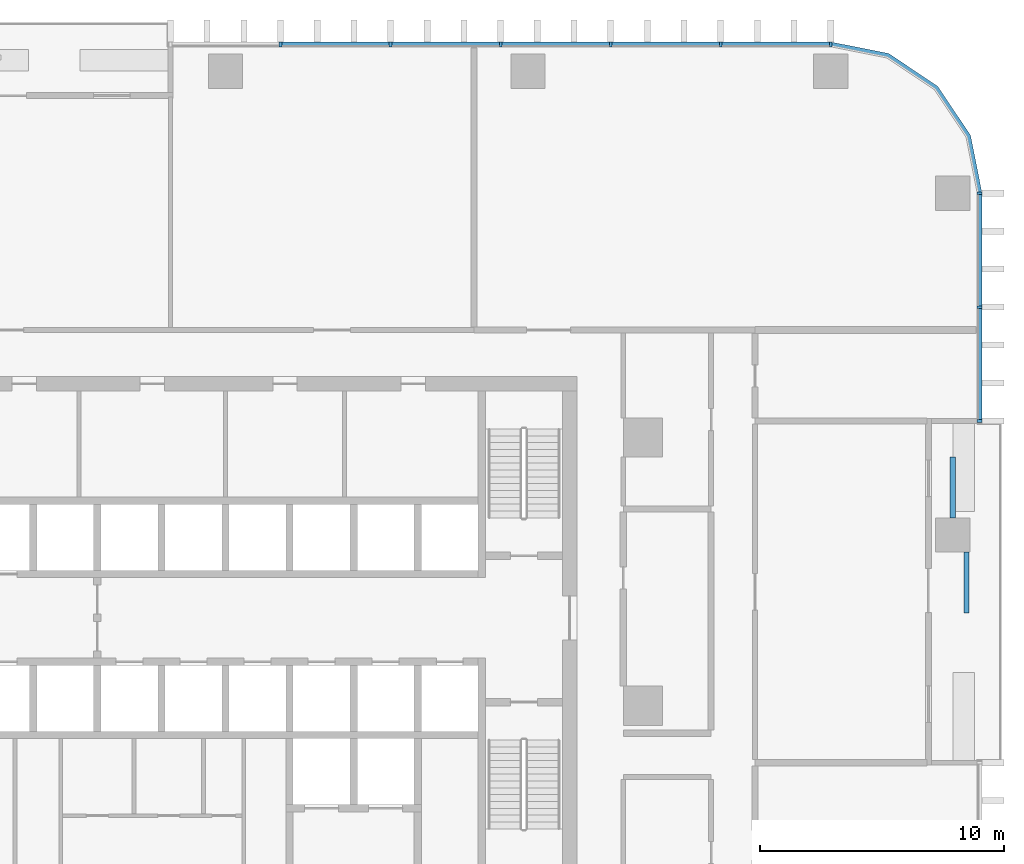
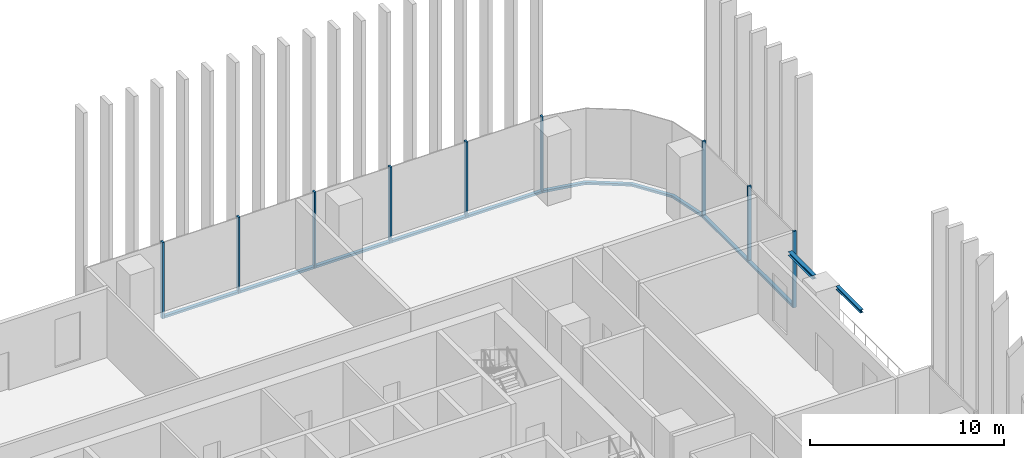
# One storey, part 5 of 16: 17 members, 2 beams, 3 elements without a shape of their own.
"""IFC4 building model written with IfcOpenShell, lengths in metres."""

from ifc_helpers import new_model, si_unit, direction, frame, origin, origin_2d, place, context, subcontext, project, spatial, polyline, rectangle, i_section, outline, extrude, material, material_profile, profile_set, type_object, element, aggregate, save


model = new_model("IFC4")

# Units and contexts
model_context = context("Model", 3, precision=1e-05, world=origin(), true_north=direction((0.0, 1.0)))
body_context = subcontext(model_context, "Body", "Model", "MODEL_VIEW")
ifc_project = project(units=[si_unit("LENGTHUNIT", "METRE"), si_unit("AREAUNIT", "SQUARE_METRE"), si_unit("VOLUMEUNIT", "CUBIC_METRE"), si_unit("PLANEANGLEUNIT", "RADIAN"), si_unit("MASSUNIT", "GRAM", prefix="KILO")], contexts=[model_context])

# Site, building, storey
site_placement = place(None, origin())
site = spatial("IfcSite", under=ifc_project, at=site_placement, CompositionType="ELEMENT")
building_placement = place(site_placement, origin())
building = spatial("IfcBuilding", under=site, at=building_placement, Name="Mopane Tessera Tower", CompositionType="ELEMENT")
storey_placement = place(building_placement, frame((0.0, 0.0, 59.800048828125)))
storey = spatial("IfcBuildingStorey", under=building, at=storey_placement, Name="L11", CompositionType="ELEMENT", Elevation=59.800048828125)

# Curtain wall, members
ifc_material_1 = material(Name="Aluminium frame", Category="aluminium")
curtain_wall_type = type_object("IfcCurtainWallType", Name="Lower tower unitised wall", PredefinedType="NOTDEFINED", material=ifc_material_1)
curtain_wall_1_placement = place(storey_placement, origin())
curtain_wall_1 = element("IfcCurtainWall", 1, at=curtain_wall_1_placement, inside=storey, type_object=curtain_wall_type, Name="e:cw:L11:E:7", PredefinedType="NOTDEFINED")
ifc_material_2 = material(Name="Aluminium frame", Category="aluminium")
ifc_material_profile_1 = material_profile(ifc_material_2, rectangle(XDim=0.110107421875, YDim=0.199951171875, at=origin_2d()))
ifc_profile_set_1 = profile_set([ifc_material_profile_1], Name="Aluminium frame")
member_type_1 = type_object("IfcMemberType", Name="Aluminium mullion 110 x 200", PredefinedType="MULLION", material=ifc_profile_set_1)
member_1_placement = place(storey_placement, frame((30.89990234375, 11.666748046875, -0.449951171875), z_axis=(0.0, 0.0, 1.0), x_axis=(0.0, 1.0, 0.0)))
member_1 = element("IfcMember", 2, at=member_1_placement, type_object=member_type_1, Name="e:cw:L11:E:7:mu7", PredefinedType="MULLION", context=body_context, shape_type="SweptSolid", body=[
    extrude(rectangle(XDim=0.110107421875, YDim=0.199951171875, at=origin_2d()), origin(), (0.0, 0.0, 1.0), 4.7998046875),
])
member_2_placement = place(storey_placement, frame((30.89990234375, 16.333251953125, -0.449951171875), z_axis=(0.0, 0.0, 1.0), x_axis=(0.0, 1.0, 0.0)))
member_2 = element("IfcMember", 3, at=member_2_placement, type_object=member_type_1, Name="e:cw:L11:E:7:mu8", PredefinedType="MULLION", context=body_context, shape_type="SweptSolid", body=[
    extrude(rectangle(XDim=0.110107421875, YDim=0.199951171875, at=origin_2d()), origin(), (0.0, 0.0, 1.0), 4.7998046875),
])
member_3_placement = place(storey_placement, frame((30.89990234375, 21.0, -0.449951171875), z_axis=(0.0, 0.0, 1.0), x_axis=(0.0, 1.0, 0.0)))
member_3 = element("IfcMember", 4, at=member_3_placement, type_object=member_type_1, Name="e:cw:L11:E:7:mu9", PredefinedType="MULLION", context=body_context, shape_type="SweptSolid", body=[
    extrude(rectangle(XDim=0.110107421875, YDim=0.199951171875, at=origin_2d()), origin(), (0.0, 0.0, 1.0), 4.7998046875),
])

curtain_wall_2_placement = place(storey_placement, origin())
curtain_wall_2 = element("IfcCurtainWall", 5, at=curtain_wall_2_placement, inside=storey, type_object=curtain_wall_type, Name="e:cw:L11:N:0", PredefinedType="NOTDEFINED")
member_4_placement = place(storey_placement, frame((24.800048828125, 27.10009765625, -0.449951171875), z_axis=(0.0, 0.0, 1.0), x_axis=(-1.0, 0.0, 0.0)))
member_4 = element("IfcMember", 6, at=member_4_placement, type_object=member_type_1, Name="e:cw:L11:N:0:mu0", PredefinedType="MULLION", context=body_context, shape_type="SweptSolid", body=[
    extrude(rectangle(XDim=0.110107421875, YDim=0.199951171875, at=origin_2d()), origin(), (0.0, 0.0, 1.0), 4.7998046875),
])
member_5_placement = place(storey_placement, frame((20.291015625, 27.10009765625, -0.449951171875), z_axis=(0.0, 0.0, 1.0), x_axis=(-1.0, 0.0, 0.0)))
member_5 = element("IfcMember", 7, at=member_5_placement, type_object=member_type_1, Name="e:cw:L11:N:0:mu1", PredefinedType="MULLION", context=body_context, shape_type="SweptSolid", body=[
    extrude(rectangle(XDim=0.110107421875, YDim=0.199951171875, at=origin_2d()), origin(), (0.0, 0.0, 1.0), 4.7998046875),
])
member_6_placement = place(storey_placement, frame((15.78173828125, 27.10009765625, -0.449951171875), z_axis=(0.0, 0.0, 1.0), x_axis=(-1.0, 0.0, 0.0)))
member_6 = element("IfcMember", 8, at=member_6_placement, type_object=member_type_1, Name="e:cw:L11:N:0:mu2", PredefinedType="MULLION", context=body_context, shape_type="SweptSolid", body=[
    extrude(rectangle(XDim=0.110107421875, YDim=0.199951171875, at=origin_2d()), origin(), (0.0, 0.0, 1.0), 4.7998046875),
])
member_7_placement = place(storey_placement, frame((11.272705078125, 27.10009765625, -0.449951171875), z_axis=(0.0, 0.0, 1.0), x_axis=(-1.0, 0.0, 0.0)))
member_7 = element("IfcMember", 9, at=member_7_placement, type_object=member_type_1, Name="e:cw:L11:N:0:mu3", PredefinedType="MULLION", context=body_context, shape_type="SweptSolid", body=[
    extrude(rectangle(XDim=0.110107421875, YDim=0.199951171875, at=origin_2d()), origin(), (0.0, 0.0, 1.0), 4.7998046875),
])
member_8_placement = place(storey_placement, frame((6.763671875, 27.10009765625, -0.449951171875), z_axis=(0.0, 0.0, 1.0), x_axis=(-1.0, 0.0, 0.0)))
member_8 = element("IfcMember", 10, at=member_8_placement, type_object=member_type_1, Name="e:cw:L11:N:0:mu4", PredefinedType="MULLION", context=body_context, shape_type="SweptSolid", body=[
    extrude(rectangle(XDim=0.110107421875, YDim=0.199951171875, at=origin_2d()), origin(), (0.0, 0.0, 1.0), 4.7998046875),
])
member_9_placement = place(storey_placement, frame((2.254638671875, 27.10009765625, -0.449951171875), z_axis=(0.0, 0.0, 1.0), x_axis=(-1.0, 0.0, 0.0)))
member_9 = element("IfcMember", 11, at=member_9_placement, type_object=member_type_1, Name="e:cw:L11:N:0:mu5", PredefinedType="MULLION", context=body_context, shape_type="SweptSolid", body=[
    extrude(rectangle(XDim=0.110107421875, YDim=0.199951171875, at=origin_2d()), origin(), (0.0, 0.0, 1.0), 4.7998046875),
])

# Member
ifc_material_3 = material(Name="Aluminium frame", Category="aluminium")
ifc_material_profile_2 = material_profile(ifc_material_3, rectangle(XDim=0.199951171875, YDim=0.139892578125, at=origin_2d()))
ifc_profile_set_2 = profile_set([ifc_material_profile_2], Name="Aluminium frame")
member_type_2 = type_object("IfcMemberType", Name="Aluminium transom 200 x 140", PredefinedType="USERDEFINED", material=ifc_profile_set_2)
member_10_placement = place(storey_placement, frame((30.89990234375, 11.7216796875, -0.380126953125), z_axis=(0.0, 1.0, 0.0), x_axis=(-1.0, 0.0, 0.0)))
member_10 = element("IfcMember", 12, at=member_10_placement, type_object=member_type_2, Name="e:cw:L11:E:7:tr7", ObjectType="TRANSOM", PredefinedType="USERDEFINED", context=body_context, shape_type="SweptSolid", body=[
    extrude(rectangle(XDim=0.199951171875, YDim=0.139892578125, at=origin_2d()), origin(), (0.0, 0.0, 1.0), 4.556640625),
])

member_11_placement = place(storey_placement, frame((30.89990234375, 16.388427734375, -0.380126953125), z_axis=(0.0, 1.0, 0.0), x_axis=(-1.0, 0.0, 0.0)))
member_11 = element("IfcMember", 13, at=member_11_placement, type_object=member_type_2, Name="e:cw:L11:E:7:tr8", ObjectType="TRANSOM", PredefinedType="USERDEFINED", context=body_context, shape_type="SweptSolid", body=[
    extrude(rectangle(XDim=0.199951171875, YDim=0.139892578125, at=origin_2d()), origin(), (0.0, 0.0, 1.0), 4.556640625),
])

aggregate(curtain_wall_1, [member_1, member_2, member_3, member_10, member_11])

# Curtain wall, member
curtain_wall_3_placement = place(storey_placement, origin())
curtain_wall_3 = element("IfcCurtainWall", 14, at=curtain_wall_3_placement, inside=storey, type_object=curtain_wall_type, Name="e:cw:L11:CE", PredefinedType="NOTDEFINED")
member_12_placement = place(storey_placement, frame((0.0, 0.0, -0.449951171875)))
member_12 = element("IfcMember", 15, at=member_12_placement, type_object=member_type_2, Name="e:cw:L11:CE:tr", ObjectType="TRANSOM", PredefinedType="USERDEFINED", context=body_context, shape_type="SweptSolid", body=[
    extrude(outline(polyline([(30.800048828125, 21.0), (30.34326171875, 23.296142578125), (29.042724609375, 25.24267578125), (27.09619140625, 26.543212890625), (24.800048828125, 27.0), (24.800048828125, 27.199951171875), (27.172607421875, 26.72802734375), (29.18408203125, 25.384033203125), (30.528076171875, 23.37255859375), (31.0, 21.0), (30.800048828125, 21.0)])), origin(), (0.0, 0.0, 1.0), 0.139892578125),
])
aggregate(curtain_wall_3, [member_12])

# Member
member_13_placement = place(storey_placement, frame((24.7451171875, 27.10009765625, -0.380126953125), z_axis=(-1.0, 0.0, 0.0), x_axis=(0.0, -1.0, 0.0)))
member_13 = element("IfcMember", 16, at=member_13_placement, type_object=member_type_2, Name="e:cw:L11:N:0:tr0", ObjectType="TRANSOM", PredefinedType="USERDEFINED", context=body_context, shape_type="SweptSolid", body=[
    extrude(rectangle(XDim=0.199951171875, YDim=0.139892578125, at=origin_2d()), origin(), (0.0, 0.0, 1.0), 4.399169921875),
])

member_14_placement = place(storey_placement, frame((20.23583984375, 27.10009765625, -0.380126953125), z_axis=(-1.0, 0.0, 0.0), x_axis=(0.0, -1.0, 0.0)))
member_14 = element("IfcMember", 17, at=member_14_placement, type_object=member_type_2, Name="e:cw:L11:N:0:tr1", ObjectType="TRANSOM", PredefinedType="USERDEFINED", context=body_context, shape_type="SweptSolid", body=[
    extrude(rectangle(XDim=0.199951171875, YDim=0.139892578125, at=origin_2d()), origin(), (0.0, 0.0, 1.0), 4.39892578125),
])

member_15_placement = place(storey_placement, frame((15.726806640625, 27.10009765625, -0.380126953125), z_axis=(-1.0, 0.0, 0.0), x_axis=(0.0, -1.0, 0.0)))
member_15 = element("IfcMember", 18, at=member_15_placement, type_object=member_type_2, Name="e:cw:L11:N:0:tr2", ObjectType="TRANSOM", PredefinedType="USERDEFINED", context=body_context, shape_type="SweptSolid", body=[
    extrude(rectangle(XDim=0.199951171875, YDim=0.139892578125, at=origin_2d()), origin(), (0.0, 0.0, 1.0), 4.399169921875),
])

member_16_placement = place(storey_placement, frame((11.2177734375, 27.10009765625, -0.380126953125), z_axis=(-1.0, 0.0, 0.0), x_axis=(0.0, -1.0, 0.0)))
member_16 = element("IfcMember", 19, at=member_16_placement, type_object=member_type_2, Name="e:cw:L11:N:0:tr3", ObjectType="TRANSOM", PredefinedType="USERDEFINED", context=body_context, shape_type="SweptSolid", body=[
    extrude(rectangle(XDim=0.199951171875, YDim=0.139892578125, at=origin_2d()), origin(), (0.0, 0.0, 1.0), 4.399169921875),
])

member_17_placement = place(storey_placement, frame((6.708740234375, 27.10009765625, -0.380126953125), z_axis=(-1.0, 0.0, 0.0), x_axis=(0.0, -1.0, 0.0)))
member_17 = element("IfcMember", 20, at=member_17_placement, type_object=member_type_2, Name="e:cw:L11:N:0:tr4", ObjectType="TRANSOM", PredefinedType="USERDEFINED", context=body_context, shape_type="SweptSolid", body=[
    extrude(rectangle(XDim=0.199951171875, YDim=0.139892578125, at=origin_2d()), origin(), (0.0, 0.0, 1.0), 4.399169921875),
])

aggregate(curtain_wall_2, [member_4, member_5, member_6, member_7, member_8, member_9, member_13, member_14, member_15, member_16, member_17])

# Beams
ifc_material_4 = material(Name="Structural steel S460", Category="steel")
ifc_material_profile_3 = material_profile(ifc_material_4, i_section(OverallWidth=0.239990234375, OverallDepth=0.239990234375, WebThickness=0.010009765625, FlangeThickness=0.01708984375, FilletRadius=0.02099609375, at=origin_2d()))
ifc_profile_set_3 = profile_set([ifc_material_profile_3], Name="Structural steel S460")
beam_type_1 = type_object("IfcBeamType", Name="Terrace spandrel beam HE 240 B", PredefinedType="SPANDREL", material=ifc_profile_set_3)
beam_1_placement = place(storey_placement, frame((29.800048828125, 7.702880859375, 4.22998046875), z_axis=(0.0, 1.0, 0.0), x_axis=(-1.0, 0.0, 0.0)))
element("IfcBeam", 21, at=beam_1_placement, inside=storey, type_object=beam_type_1, Name="Terrace spandrel beam N1 L12", PredefinedType="SPANDREL", context=body_context, shape_type="SweptSolid", body=[
    extrude(i_section(OverallWidth=0.239990234375, OverallDepth=0.239990234375, WebThickness=0.010009765625, FlangeThickness=0.01708984375, FilletRadius=0.02099609375, at=origin_2d()), origin(), (0.0, 0.0, 1.0), 2.5),
])
ifc_material_5 = material(Name="Structural steel S460", Category="steel")
ifc_material_profile_4 = material_profile(ifc_material_5, i_section(OverallWidth=0.199951171875, OverallDepth=0.199951171875, WebThickness=0.009033203125, FlangeThickness=0.014892578125, FilletRadius=0.01806640625, at=origin_2d()))
ifc_profile_set_4 = profile_set([ifc_material_profile_4], Name="Structural steel S460")
beam_type_2 = type_object("IfcBeamType", Name="Terrace trimmer beam HE 200 B", PredefinedType="BEAM", material=ifc_profile_set_4)
beam_2_placement = place(storey_placement, frame((30.360107421875, 6.297119140625, 4.25), z_axis=(0.0, -1.0, 0.0), x_axis=(1.0, 0.0, 0.0)))
element("IfcBeam", 22, at=beam_2_placement, inside=storey, type_object=beam_type_2, Name="Terrace trimmer beam N1 L12", PredefinedType="BEAM", context=body_context, shape_type="SweptSolid", body=[
    extrude(i_section(OverallWidth=0.199951171875, OverallDepth=0.199951171875, WebThickness=0.009033203125, FlangeThickness=0.014892578125, FilletRadius=0.01806640625, at=origin_2d()), origin(), (0.0, 0.0, 1.0), 2.5),
])

save(model, "model.ifc")
